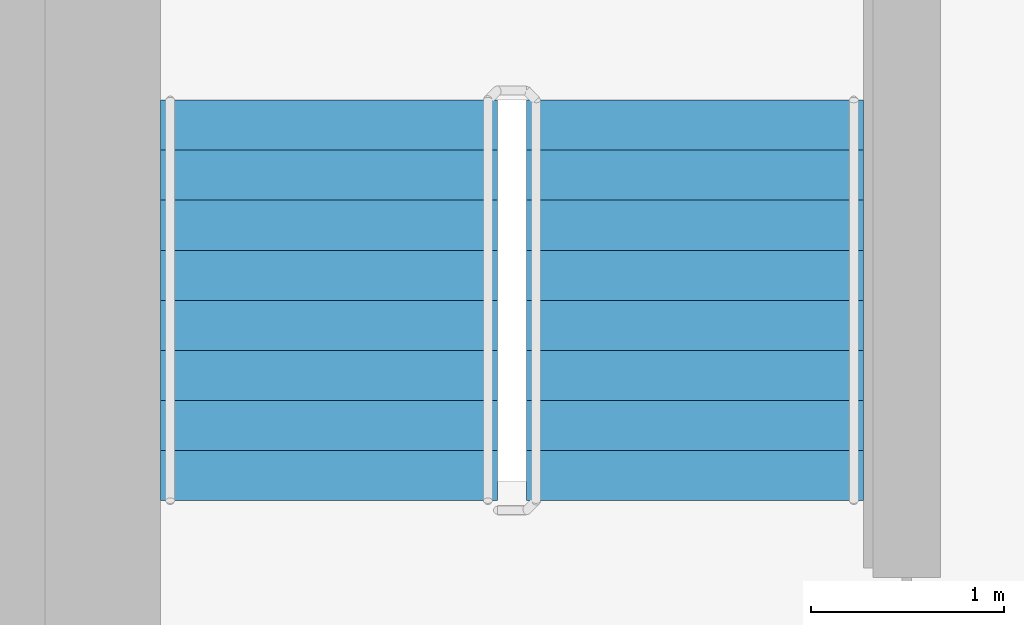
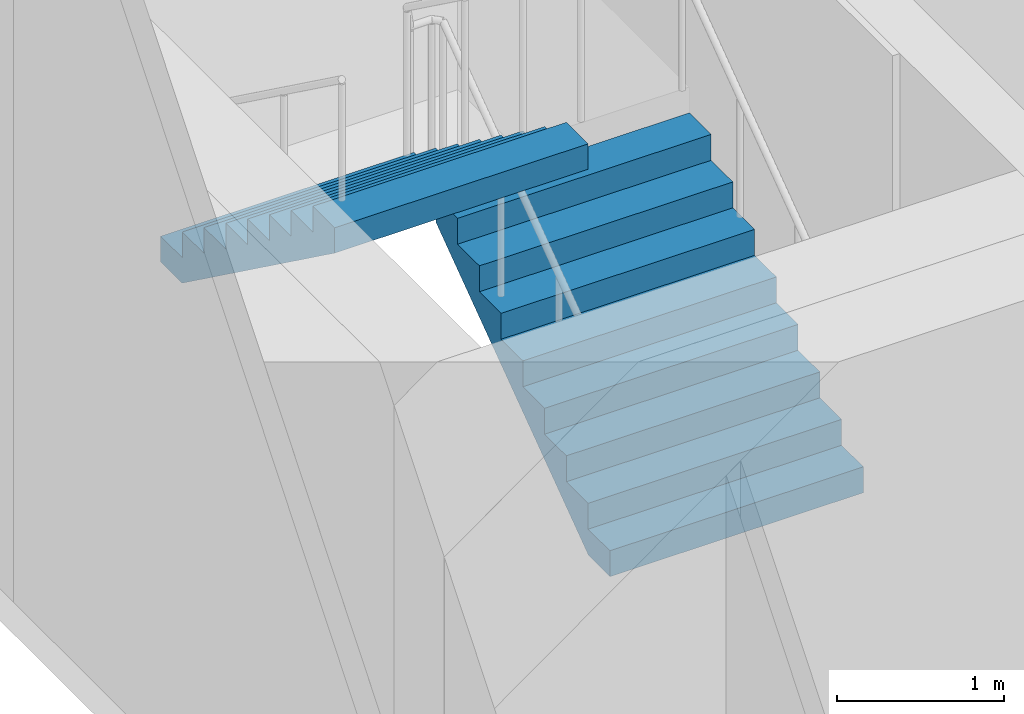
# One storey, part 15 of 18: 2 stair flights, 1 element without a shape of its own.
"""IFC4 building model written with IfcOpenShell, lengths in metres."""

from ifc_helpers import new_model, si_unit, direction, frame, origin, place, context, subcontext, project, spatial, faceted_brep, material, type_object, element, aggregate, save


model = new_model("IFC4")

# Units and contexts
model_context = context("Model", 3, precision=1e-05, world=origin(), true_north=direction((0.0, 1.0)))
body_context = subcontext(model_context, "Body", "Model", "MODEL_VIEW")
ifc_project = project(units=[si_unit("LENGTHUNIT", "METRE"), si_unit("AREAUNIT", "SQUARE_METRE"), si_unit("VOLUMEUNIT", "CUBIC_METRE"), si_unit("PLANEANGLEUNIT", "RADIAN"), si_unit("MASSUNIT", "GRAM", prefix="KILO")], contexts=[model_context])

# Site, building, storey
site_placement = place(None, origin())
site = spatial("IfcSite", under=ifc_project, at=site_placement, CompositionType="ELEMENT")
building_placement = place(site_placement, origin())
building = spatial("IfcBuilding", under=site, at=building_placement, Name="Ipe Terrace Towers", CompositionType="ELEMENT")
storey_placement = place(building_placement, frame((0.0, 0.0, 213.0)))
storey = spatial("IfcBuildingStorey", under=building, at=storey_placement, Name="L59", CompositionType="ELEMENT", Elevation=213.0)

# Stair, stair flights
ifc_material_1 = material(Name="Concrete C30/37", Category="concrete")
stair_type = type_object("IfcStairType", Name="Protected exit stair", PredefinedType="HALF_TURN_STAIR", material=ifc_material_1)
stair_placement = place(storey_placement, origin())
stair = element("IfcStair", 1, at=stair_placement, inside=storey, type_object=stair_type, Name="L59 Exit stair T2-C1", PredefinedType="HALF_TURN_STAIR")
ifc_material_2 = material(Name="Concrete C30/37", Category="concrete")
stair_flight_type = type_object("IfcStairFlightType", Name="Exit stair flight 1750", PredefinedType="STRAIGHT", material=ifc_material_2)
stair_flight_1_placement = place(storey_placement, frame((33.22509765625, 9.699951171875, 0.0), z_axis=(0.0, 0.0, 1.0), x_axis=(0.0, 1.0, 0.0)))
stair_flight_1 = element("IfcStairFlight", 2, at=stair_flight_1_placement, type_object=stair_flight_type, Name="T2-ST1 flight 1", NumberOfRisers=9, NumberOfTreads=8, PredefinedType="STRAIGHT", RiserHeight=0.188888889, TreadLength=0.26, context=body_context, shape_type="Brep", body=[
    faceted_brep([(0.255126953125, -0.875, 0.0), (2.080078125, -0.875, 1.325927734375), (2.080078125, -0.875, 1.51123046875), (1.820068359375, -0.875, 1.51123046875), (1.820068359375, -0.875, 1.322265625), (1.56005859375, -0.875, 1.322265625), (1.56005859375, -0.875, 1.13330078125), (1.300048828125, -0.875, 1.13330078125), (1.300048828125, -0.875, 0.9443359375), (1.0400390625, -0.875, 0.9443359375), (1.0400390625, -0.875, 0.755615234375), (0.780029296875, -0.875, 0.755615234375), (0.780029296875, -0.875, 0.566650390625), (0.52001953125, -0.875, 0.566650390625), (0.52001953125, -0.875, 0.377685546875), (0.260009765625, -0.875, 0.377685546875), (0.260009765625, -0.875, 0.18896484375), (0.0, -0.875, 0.18896484375), (0.0, -0.875, 0.0), (0.0, 0.875, 0.0), (0.0, 0.875, 0.18896484375), (0.260009765625, 0.875, 0.18896484375), (0.260009765625, 0.875, 0.377685546875), (0.52001953125, 0.875, 0.377685546875), (0.52001953125, 0.875, 0.566650390625), (0.780029296875, 0.875, 0.566650390625), (0.780029296875, 0.875, 0.755615234375), (1.0400390625, 0.875, 0.755615234375), (1.0400390625, 0.875, 0.9443359375), (1.300048828125, 0.875, 0.9443359375), (1.300048828125, 0.875, 1.13330078125), (1.56005859375, 0.875, 1.13330078125), (1.56005859375, 0.875, 1.322265625), (1.820068359375, 0.875, 1.322265625), (1.820068359375, 0.875, 1.51123046875), (2.080078125, 0.875, 1.51123046875), (2.080078125, 0.875, 1.325927734375), (0.255126953125, 0.875, 0.0), (0.0, -0.300048828125, 0.18896484375), (0.0, -0.1201171875, 0.18896484375), (0.0, -0.06005859375, 0.18896484375), (0.0, -0.030029296875, 0.18896484375), (0.0, -0.010009765625, 0.18896484375), (0.0, 0.0, 0.18896484375), (0.0, 0.010009765625, 0.18896484375), (0.0, 0.030029296875, 0.18896484375), (0.0, 0.06005859375, 0.18896484375), (0.0, 0.1201171875, 0.18896484375), (0.0, 0.300048828125, 0.18896484375), (0.0, 0.300048828125, 0.0), (0.0, 0.1201171875, 0.0), (0.0, 0.06005859375, 0.0), (0.0, 0.030029296875, 0.0), (0.0, 0.010009765625, 0.0), (0.0, 0.0, 0.0), (0.0, -0.010009765625, 0.0), (0.0, -0.030029296875, 0.0), (0.0, -0.06005859375, 0.0), (0.0, -0.1201171875, 0.0), (0.0, -0.300048828125, 0.0), (0.260009765625, -0.300048828125, 0.18896484375), (0.260009765625, -0.1201171875, 0.18896484375), (0.260009765625, -0.06005859375, 0.18896484375), (0.260009765625, -0.030029296875, 0.18896484375), (0.260009765625, -0.010009765625, 0.18896484375), (0.260009765625, 0.0, 0.18896484375), (0.260009765625, 0.010009765625, 0.18896484375), (0.260009765625, 0.030029296875, 0.18896484375), (0.260009765625, 0.06005859375, 0.18896484375), (0.260009765625, 0.1201171875, 0.18896484375), (0.260009765625, 0.300048828125, 0.18896484375), (0.260009765625, -0.300048828125, 0.377685546875), (0.260009765625, -0.1201171875, 0.377685546875), (0.260009765625, -0.06005859375, 0.377685546875), (0.260009765625, -0.030029296875, 0.377685546875), (0.260009765625, -0.010009765625, 0.377685546875), (0.260009765625, 0.0, 0.377685546875), (0.260009765625, 0.010009765625, 0.377685546875), (0.260009765625, 0.030029296875, 0.377685546875), (0.260009765625, 0.06005859375, 0.377685546875), (0.260009765625, 0.1201171875, 0.377685546875), (0.260009765625, 0.300048828125, 0.377685546875), (0.52001953125, -0.300048828125, 0.377685546875), (0.52001953125, -0.1201171875, 0.377685546875), (0.52001953125, -0.06005859375, 0.377685546875), (0.52001953125, -0.030029296875, 0.377685546875), (0.52001953125, -0.010009765625, 0.377685546875), (0.52001953125, 0.0, 0.377685546875), (0.52001953125, 0.010009765625, 0.377685546875), (0.52001953125, 0.030029296875, 0.377685546875), (0.52001953125, 0.06005859375, 0.377685546875), (0.52001953125, 0.1201171875, 0.377685546875), (0.52001953125, 0.300048828125, 0.377685546875), (0.52001953125, -0.300048828125, 0.566650390625), (0.52001953125, -0.1201171875, 0.566650390625), (0.52001953125, -0.06005859375, 0.566650390625), (0.52001953125, -0.030029296875, 0.566650390625), (0.52001953125, -0.010009765625, 0.566650390625), (0.52001953125, 0.0, 0.566650390625), (0.52001953125, 0.010009765625, 0.566650390625), (0.52001953125, 0.030029296875, 0.566650390625), (0.52001953125, 0.06005859375, 0.566650390625), (0.52001953125, 0.1201171875, 0.566650390625), (0.52001953125, 0.300048828125, 0.566650390625), (0.780029296875, -0.300048828125, 0.566650390625), (0.780029296875, -0.1201171875, 0.566650390625), (0.780029296875, -0.06005859375, 0.566650390625), (0.780029296875, -0.030029296875, 0.566650390625), (0.780029296875, -0.010009765625, 0.566650390625), (0.780029296875, 0.0, 0.566650390625), (0.780029296875, 0.010009765625, 0.566650390625), (0.780029296875, 0.030029296875, 0.566650390625), (0.780029296875, 0.06005859375, 0.566650390625), (0.780029296875, 0.1201171875, 0.566650390625), (0.780029296875, 0.300048828125, 0.566650390625), (0.780029296875, -0.300048828125, 0.755615234375), (0.780029296875, -0.1201171875, 0.755615234375), (0.780029296875, -0.06005859375, 0.755615234375), (0.780029296875, -0.030029296875, 0.755615234375), (0.780029296875, -0.010009765625, 0.755615234375), (0.780029296875, 0.0, 0.755615234375), (0.780029296875, 0.010009765625, 0.755615234375), (0.780029296875, 0.030029296875, 0.755615234375), (0.780029296875, 0.06005859375, 0.755615234375), (0.780029296875, 0.1201171875, 0.755615234375), (0.780029296875, 0.300048828125, 0.755615234375), (1.0400390625, -0.300048828125, 0.755615234375), (1.0400390625, -0.1201171875, 0.755615234375), (1.0400390625, -0.06005859375, 0.755615234375), (1.0400390625, -0.030029296875, 0.755615234375), (1.0400390625, -0.010009765625, 0.755615234375), (1.0400390625, 0.0, 0.755615234375), (1.0400390625, 0.010009765625, 0.755615234375), (1.0400390625, 0.030029296875, 0.755615234375), (1.0400390625, 0.06005859375, 0.755615234375), (1.0400390625, 0.1201171875, 0.755615234375), (1.0400390625, 0.300048828125, 0.755615234375), (1.0400390625, -0.300048828125, 0.9443359375), (1.0400390625, -0.1201171875, 0.9443359375), (1.0400390625, -0.06005859375, 0.9443359375), (1.0400390625, -0.030029296875, 0.9443359375), (1.0400390625, -0.010009765625, 0.9443359375), (1.0400390625, 0.0, 0.9443359375), (1.0400390625, 0.010009765625, 0.9443359375), (1.0400390625, 0.030029296875, 0.9443359375), (1.0400390625, 0.06005859375, 0.9443359375), (1.0400390625, 0.1201171875, 0.9443359375), (1.0400390625, 0.300048828125, 0.9443359375), (1.300048828125, -0.300048828125, 0.9443359375), (1.300048828125, -0.1201171875, 0.9443359375), (1.300048828125, -0.06005859375, 0.9443359375), (1.300048828125, -0.030029296875, 0.9443359375), (1.300048828125, -0.010009765625, 0.9443359375), (1.300048828125, 0.0, 0.9443359375), (1.300048828125, 0.010009765625, 0.9443359375), (1.300048828125, 0.030029296875, 0.9443359375), (1.300048828125, 0.06005859375, 0.9443359375), (1.300048828125, 0.1201171875, 0.9443359375), (1.300048828125, 0.300048828125, 0.9443359375), (1.300048828125, -0.300048828125, 1.13330078125), (1.300048828125, -0.1201171875, 1.13330078125), (1.300048828125, -0.06005859375, 1.13330078125), (1.300048828125, -0.030029296875, 1.13330078125), (1.300048828125, -0.010009765625, 1.13330078125), (1.300048828125, 0.0, 1.13330078125), (1.300048828125, 0.010009765625, 1.13330078125), (1.300048828125, 0.030029296875, 1.13330078125), (1.300048828125, 0.06005859375, 1.13330078125), (1.300048828125, 0.1201171875, 1.13330078125), (1.300048828125, 0.300048828125, 1.13330078125), (1.56005859375, -0.300048828125, 1.13330078125), (1.56005859375, -0.1201171875, 1.13330078125), (1.56005859375, -0.06005859375, 1.13330078125), (1.56005859375, -0.030029296875, 1.13330078125), (1.56005859375, -0.010009765625, 1.13330078125), (1.56005859375, 0.0, 1.13330078125), (1.56005859375, 0.010009765625, 1.13330078125), (1.56005859375, 0.030029296875, 1.13330078125), (1.56005859375, 0.06005859375, 1.13330078125), (1.56005859375, 0.1201171875, 1.13330078125), (1.56005859375, 0.300048828125, 1.13330078125), (1.56005859375, -0.300048828125, 1.322265625), (1.56005859375, -0.1201171875, 1.322265625), (1.56005859375, -0.06005859375, 1.322265625), (1.56005859375, -0.030029296875, 1.322265625), (1.56005859375, -0.010009765625, 1.322265625), (1.56005859375, 0.0, 1.322265625), (1.56005859375, 0.010009765625, 1.322265625), (1.56005859375, 0.030029296875, 1.322265625), (1.56005859375, 0.06005859375, 1.322265625), (1.56005859375, 0.1201171875, 1.322265625), (1.56005859375, 0.300048828125, 1.322265625), (1.820068359375, -0.300048828125, 1.322265625), (1.820068359375, -0.1201171875, 1.322265625), (1.820068359375, -0.06005859375, 1.322265625), (1.820068359375, -0.030029296875, 1.322265625), (1.820068359375, -0.010009765625, 1.322265625), (1.820068359375, 0.0, 1.322265625), (1.820068359375, 0.010009765625, 1.322265625), (1.820068359375, 0.030029296875, 1.322265625), (1.820068359375, 0.06005859375, 1.322265625), (1.820068359375, 0.1201171875, 1.322265625), (1.820068359375, 0.300048828125, 1.322265625), (1.820068359375, -0.300048828125, 1.51123046875), (1.820068359375, -0.1201171875, 1.51123046875), (1.820068359375, -0.06005859375, 1.51123046875), (1.820068359375, -0.030029296875, 1.51123046875), (1.820068359375, -0.010009765625, 1.51123046875), (1.820068359375, 0.0, 1.51123046875), (1.820068359375, 0.010009765625, 1.51123046875), (1.820068359375, 0.030029296875, 1.51123046875), (1.820068359375, 0.06005859375, 1.51123046875), (1.820068359375, 0.1201171875, 1.51123046875), (1.820068359375, 0.300048828125, 1.51123046875), (2.080078125, -0.300048828125, 1.51123046875), (2.080078125, -0.1201171875, 1.51123046875), (2.080078125, -0.06005859375, 1.51123046875), (2.080078125, -0.030029296875, 1.51123046875), (2.080078125, -0.010009765625, 1.51123046875), (2.080078125, 0.0, 1.51123046875), (2.080078125, 0.010009765625, 1.51123046875), (2.080078125, 0.030029296875, 1.51123046875), (2.080078125, 0.06005859375, 1.51123046875), (2.080078125, 0.1201171875, 1.51123046875), (2.080078125, 0.300048828125, 1.51123046875), (2.080078125, -0.300048828125, 1.325927734375), (2.080078125, -0.1201171875, 1.325927734375), (2.080078125, -0.06005859375, 1.325927734375), (2.080078125, -0.030029296875, 1.325927734375), (2.080078125, -0.010009765625, 1.325927734375), (2.080078125, 0.0, 1.325927734375), (2.080078125, 0.010009765625, 1.325927734375), (2.080078125, 0.030029296875, 1.325927734375), (2.080078125, 0.06005859375, 1.325927734375), (2.080078125, 0.1201171875, 1.325927734375), (2.080078125, 0.300048828125, 1.325927734375), (0.255126953125, -0.300048828125, 0.0), (0.255126953125, -0.1201171875, 0.0), (0.255126953125, -0.06005859375, 0.0), (0.255126953125, -0.030029296875, 0.0), (0.255126953125, -0.010009765625, 0.0), (0.255126953125, 0.0, 0.0), (0.255126953125, 0.010009765625, 0.0), (0.255126953125, 0.030029296875, 0.0), (0.255126953125, 0.06005859375, 0.0), (0.255126953125, 0.1201171875, 0.0), (0.255126953125, 0.300048828125, 0.0)], [[[0, 1, 2, 3, 4, 5, 6, 7, 8, 9, 10, 11, 12, 13, 14, 15, 16, 17, 18]], [[19, 20, 21, 22, 23, 24, 25, 26, 27, 28, 29, 30, 31, 32, 33, 34, 35, 36, 37]], [[17, 38, 39, 40, 41, 42, 43, 44, 45, 46, 47, 48, 20, 19, 49, 50, 51, 52, 53, 54, 55, 56, 57, 58, 59, 18]], [[16, 60, 61, 62, 63, 64, 65, 66, 67, 68, 69, 70, 21, 20, 48, 47, 46, 45, 44, 43, 42, 41, 40, 39, 38, 17]], [[15, 71, 72, 73, 74, 75, 76, 77, 78, 79, 80, 81, 22, 21, 70, 69, 68, 67, 66, 65, 64, 63, 62, 61, 60, 16]], [[14, 82, 83, 84, 85, 86, 87, 88, 89, 90, 91, 92, 23, 22, 81, 80, 79, 78, 77, 76, 75, 74, 73, 72, 71, 15]], [[13, 93, 94, 95, 96, 97, 98, 99, 100, 101, 102, 103, 24, 23, 92, 91, 90, 89, 88, 87, 86, 85, 84, 83, 82, 14]], [[12, 104, 105, 106, 107, 108, 109, 110, 111, 112, 113, 114, 25, 24, 103, 102, 101, 100, 99, 98, 97, 96, 95, 94, 93, 13]], [[11, 115, 116, 117, 118, 119, 120, 121, 122, 123, 124, 125, 26, 25, 114, 113, 112, 111, 110, 109, 108, 107, 106, 105, 104, 12]], [[10, 126, 127, 128, 129, 130, 131, 132, 133, 134, 135, 136, 27, 26, 125, 124, 123, 122, 121, 120, 119, 118, 117, 116, 115, 11]], [[9, 137, 138, 139, 140, 141, 142, 143, 144, 145, 146, 147, 28, 27, 136, 135, 134, 133, 132, 131, 130, 129, 128, 127, 126, 10]], [[8, 148, 149, 150, 151, 152, 153, 154, 155, 156, 157, 158, 29, 28, 147, 146, 145, 144, 143, 142, 141, 140, 139, 138, 137, 9]], [[7, 159, 160, 161, 162, 163, 164, 165, 166, 167, 168, 169, 30, 29, 158, 157, 156, 155, 154, 153, 152, 151, 150, 149, 148, 8]], [[6, 170, 171, 172, 173, 174, 175, 176, 177, 178, 179, 180, 31, 30, 169, 168, 167, 166, 165, 164, 163, 162, 161, 160, 159, 7]], [[5, 181, 182, 183, 184, 185, 186, 187, 188, 189, 190, 191, 32, 31, 180, 179, 178, 177, 176, 175, 174, 173, 172, 171, 170, 6]], [[4, 192, 193, 194, 195, 196, 197, 198, 199, 200, 201, 202, 33, 32, 191, 190, 189, 188, 187, 186, 185, 184, 183, 182, 181, 5]], [[3, 203, 204, 205, 206, 207, 208, 209, 210, 211, 212, 213, 34, 33, 202, 201, 200, 199, 198, 197, 196, 195, 194, 193, 192, 4]], [[2, 214, 215, 216, 217, 218, 219, 220, 221, 222, 223, 224, 35, 34, 213, 212, 211, 210, 209, 208, 207, 206, 205, 204, 203, 3]], [[1, 225, 226, 227, 228, 229, 230, 231, 232, 233, 234, 235, 36, 35, 224, 223, 222, 221, 220, 219, 218, 217, 216, 215, 214, 2]], [[0, 236, 237, 238, 239, 240, 241, 242, 243, 244, 245, 246, 37, 36, 235, 234, 233, 232, 231, 230, 229, 228, 227, 226, 225, 1]], [[18, 59, 58, 57, 56, 55, 54, 53, 52, 51, 50, 49, 19, 37, 246, 245, 244, 243, 242, 241, 240, 239, 238, 237, 236, 0]]]),
])
stair_flight_2_placement = place(storey_placement, frame((31.324951171875, 11.780029296875, 1.699951171875), z_axis=(0.0, 0.0, 1.0), x_axis=(0.0, -1.0, 0.0)))
stair_flight_2 = element("IfcStairFlight", 3, at=stair_flight_2_placement, type_object=stair_flight_type, Name="T2-ST1 flight 2", NumberOfRisers=9, NumberOfTreads=8, PredefinedType="STRAIGHT", RiserHeight=0.188888889, TreadLength=0.26, context=body_context, shape_type="Brep", body=[
    faceted_brep([(0.255126953125, -0.875, 0.0), (2.080078125, -0.875, 1.325927734375), (2.080078125, -0.875, 1.51123046875), (1.820068359375, -0.875, 1.51123046875), (1.820068359375, -0.875, 1.322265625), (1.56005859375, -0.875, 1.322265625), (1.56005859375, -0.875, 1.13330078125), (1.300048828125, -0.875, 1.13330078125), (1.300048828125, -0.875, 0.9443359375), (1.0400390625, -0.875, 0.9443359375), (1.0400390625, -0.875, 0.755615234375), (0.780029296875, -0.875, 0.755615234375), (0.780029296875, -0.875, 0.566650390625), (0.52001953125, -0.875, 0.566650390625), (0.52001953125, -0.875, 0.377685546875), (0.260009765625, -0.875, 0.377685546875), (0.260009765625, -0.875, 0.18896484375), (0.0, -0.875, 0.18896484375), (0.0, -0.875, 0.0), (0.0, 0.875, 0.0), (0.0, 0.875, 0.18896484375), (0.260009765625, 0.875, 0.18896484375), (0.260009765625, 0.875, 0.377685546875), (0.52001953125, 0.875, 0.377685546875), (0.52001953125, 0.875, 0.566650390625), (0.780029296875, 0.875, 0.566650390625), (0.780029296875, 0.875, 0.755615234375), (1.0400390625, 0.875, 0.755615234375), (1.0400390625, 0.875, 0.9443359375), (1.300048828125, 0.875, 0.9443359375), (1.300048828125, 0.875, 1.13330078125), (1.56005859375, 0.875, 1.13330078125), (1.56005859375, 0.875, 1.322265625), (1.820068359375, 0.875, 1.322265625), (1.820068359375, 0.875, 1.51123046875), (2.080078125, 0.875, 1.51123046875), (2.080078125, 0.875, 1.325927734375), (0.255126953125, 0.875, 0.0), (0.0, -0.300048828125, 0.18896484375), (0.0, -0.1201171875, 0.18896484375), (0.0, -0.06005859375, 0.18896484375), (0.0, -0.030029296875, 0.18896484375), (0.0, -0.010009765625, 0.18896484375), (0.0, 0.0, 0.18896484375), (0.0, 0.010009765625, 0.18896484375), (0.0, 0.030029296875, 0.18896484375), (0.0, 0.06005859375, 0.18896484375), (0.0, 0.1201171875, 0.18896484375), (0.0, 0.300048828125, 0.18896484375), (0.0, 0.300048828125, 0.0), (0.0, 0.1201171875, 0.0), (0.0, 0.06005859375, 0.0), (0.0, 0.030029296875, 0.0), (0.0, 0.010009765625, 0.0), (0.0, 0.0, 0.0), (0.0, -0.010009765625, 0.0), (0.0, -0.030029296875, 0.0), (0.0, -0.06005859375, 0.0), (0.0, -0.1201171875, 0.0), (0.0, -0.300048828125, 0.0), (0.260009765625, -0.300048828125, 0.18896484375), (0.260009765625, -0.1201171875, 0.18896484375), (0.260009765625, -0.06005859375, 0.18896484375), (0.260009765625, -0.030029296875, 0.18896484375), (0.260009765625, -0.010009765625, 0.18896484375), (0.260009765625, 0.0, 0.18896484375), (0.260009765625, 0.010009765625, 0.18896484375), (0.260009765625, 0.030029296875, 0.18896484375), (0.260009765625, 0.06005859375, 0.18896484375), (0.260009765625, 0.1201171875, 0.18896484375), (0.260009765625, 0.300048828125, 0.18896484375), (0.260009765625, -0.300048828125, 0.377685546875), (0.260009765625, -0.1201171875, 0.377685546875), (0.260009765625, -0.06005859375, 0.377685546875), (0.260009765625, -0.030029296875, 0.377685546875), (0.260009765625, -0.010009765625, 0.377685546875), (0.260009765625, 0.0, 0.377685546875), (0.260009765625, 0.010009765625, 0.377685546875), (0.260009765625, 0.030029296875, 0.377685546875), (0.260009765625, 0.06005859375, 0.377685546875), (0.260009765625, 0.1201171875, 0.377685546875), (0.260009765625, 0.300048828125, 0.377685546875), (0.52001953125, -0.300048828125, 0.377685546875), (0.52001953125, -0.1201171875, 0.377685546875), (0.52001953125, -0.06005859375, 0.377685546875), (0.52001953125, -0.030029296875, 0.377685546875), (0.52001953125, -0.010009765625, 0.377685546875), (0.52001953125, 0.0, 0.377685546875), (0.52001953125, 0.010009765625, 0.377685546875), (0.52001953125, 0.030029296875, 0.377685546875), (0.52001953125, 0.06005859375, 0.377685546875), (0.52001953125, 0.1201171875, 0.377685546875), (0.52001953125, 0.300048828125, 0.377685546875), (0.52001953125, -0.300048828125, 0.566650390625), (0.52001953125, -0.1201171875, 0.566650390625), (0.52001953125, -0.06005859375, 0.566650390625), (0.52001953125, -0.030029296875, 0.566650390625), (0.52001953125, -0.010009765625, 0.566650390625), (0.52001953125, 0.0, 0.566650390625), (0.52001953125, 0.010009765625, 0.566650390625), (0.52001953125, 0.030029296875, 0.566650390625), (0.52001953125, 0.06005859375, 0.566650390625), (0.52001953125, 0.1201171875, 0.566650390625), (0.52001953125, 0.300048828125, 0.566650390625), (0.780029296875, -0.300048828125, 0.566650390625), (0.780029296875, -0.1201171875, 0.566650390625), (0.780029296875, -0.06005859375, 0.566650390625), (0.780029296875, -0.030029296875, 0.566650390625), (0.780029296875, -0.010009765625, 0.566650390625), (0.780029296875, 0.0, 0.566650390625), (0.780029296875, 0.010009765625, 0.566650390625), (0.780029296875, 0.030029296875, 0.566650390625), (0.780029296875, 0.06005859375, 0.566650390625), (0.780029296875, 0.1201171875, 0.566650390625), (0.780029296875, 0.300048828125, 0.566650390625), (0.780029296875, -0.300048828125, 0.755615234375), (0.780029296875, -0.1201171875, 0.755615234375), (0.780029296875, -0.06005859375, 0.755615234375), (0.780029296875, -0.030029296875, 0.755615234375), (0.780029296875, -0.010009765625, 0.755615234375), (0.780029296875, 0.0, 0.755615234375), (0.780029296875, 0.010009765625, 0.755615234375), (0.780029296875, 0.030029296875, 0.755615234375), (0.780029296875, 0.06005859375, 0.755615234375), (0.780029296875, 0.1201171875, 0.755615234375), (0.780029296875, 0.300048828125, 0.755615234375), (1.0400390625, -0.300048828125, 0.755615234375), (1.0400390625, -0.1201171875, 0.755615234375), (1.0400390625, -0.06005859375, 0.755615234375), (1.0400390625, -0.030029296875, 0.755615234375), (1.0400390625, -0.010009765625, 0.755615234375), (1.0400390625, 0.0, 0.755615234375), (1.0400390625, 0.010009765625, 0.755615234375), (1.0400390625, 0.030029296875, 0.755615234375), (1.0400390625, 0.06005859375, 0.755615234375), (1.0400390625, 0.1201171875, 0.755615234375), (1.0400390625, 0.300048828125, 0.755615234375), (1.0400390625, -0.300048828125, 0.9443359375), (1.0400390625, -0.1201171875, 0.9443359375), (1.0400390625, -0.06005859375, 0.9443359375), (1.0400390625, -0.030029296875, 0.9443359375), (1.0400390625, -0.010009765625, 0.9443359375), (1.0400390625, 0.0, 0.9443359375), (1.0400390625, 0.010009765625, 0.9443359375), (1.0400390625, 0.030029296875, 0.9443359375), (1.0400390625, 0.06005859375, 0.9443359375), (1.0400390625, 0.1201171875, 0.9443359375), (1.0400390625, 0.300048828125, 0.9443359375), (1.300048828125, -0.300048828125, 0.9443359375), (1.300048828125, -0.1201171875, 0.9443359375), (1.300048828125, -0.06005859375, 0.9443359375), (1.300048828125, -0.030029296875, 0.9443359375), (1.300048828125, -0.010009765625, 0.9443359375), (1.300048828125, 0.0, 0.9443359375), (1.300048828125, 0.010009765625, 0.9443359375), (1.300048828125, 0.030029296875, 0.9443359375), (1.300048828125, 0.06005859375, 0.9443359375), (1.300048828125, 0.1201171875, 0.9443359375), (1.300048828125, 0.300048828125, 0.9443359375), (1.300048828125, -0.300048828125, 1.13330078125), (1.300048828125, -0.1201171875, 1.13330078125), (1.300048828125, -0.06005859375, 1.13330078125), (1.300048828125, -0.030029296875, 1.13330078125), (1.300048828125, -0.010009765625, 1.13330078125), (1.300048828125, 0.0, 1.13330078125), (1.300048828125, 0.010009765625, 1.13330078125), (1.300048828125, 0.030029296875, 1.13330078125), (1.300048828125, 0.06005859375, 1.13330078125), (1.300048828125, 0.1201171875, 1.13330078125), (1.300048828125, 0.300048828125, 1.13330078125), (1.56005859375, -0.300048828125, 1.13330078125), (1.56005859375, -0.1201171875, 1.13330078125), (1.56005859375, -0.06005859375, 1.13330078125), (1.56005859375, -0.030029296875, 1.13330078125), (1.56005859375, -0.010009765625, 1.13330078125), (1.56005859375, 0.0, 1.13330078125), (1.56005859375, 0.010009765625, 1.13330078125), (1.56005859375, 0.030029296875, 1.13330078125), (1.56005859375, 0.06005859375, 1.13330078125), (1.56005859375, 0.1201171875, 1.13330078125), (1.56005859375, 0.300048828125, 1.13330078125), (1.56005859375, -0.300048828125, 1.322265625), (1.56005859375, -0.1201171875, 1.322265625), (1.56005859375, -0.06005859375, 1.322265625), (1.56005859375, -0.030029296875, 1.322265625), (1.56005859375, -0.010009765625, 1.322265625), (1.56005859375, 0.0, 1.322265625), (1.56005859375, 0.010009765625, 1.322265625), (1.56005859375, 0.030029296875, 1.322265625), (1.56005859375, 0.06005859375, 1.322265625), (1.56005859375, 0.1201171875, 1.322265625), (1.56005859375, 0.300048828125, 1.322265625), (1.820068359375, -0.300048828125, 1.322265625), (1.820068359375, -0.1201171875, 1.322265625), (1.820068359375, -0.06005859375, 1.322265625), (1.820068359375, -0.030029296875, 1.322265625), (1.820068359375, -0.010009765625, 1.322265625), (1.820068359375, 0.0, 1.322265625), (1.820068359375, 0.010009765625, 1.322265625), (1.820068359375, 0.030029296875, 1.322265625), (1.820068359375, 0.06005859375, 1.322265625), (1.820068359375, 0.1201171875, 1.322265625), (1.820068359375, 0.300048828125, 1.322265625), (1.820068359375, -0.300048828125, 1.51123046875), (1.820068359375, -0.1201171875, 1.51123046875), (1.820068359375, -0.06005859375, 1.51123046875), (1.820068359375, -0.030029296875, 1.51123046875), (1.820068359375, -0.010009765625, 1.51123046875), (1.820068359375, 0.0, 1.51123046875), (1.820068359375, 0.010009765625, 1.51123046875), (1.820068359375, 0.030029296875, 1.51123046875), (1.820068359375, 0.06005859375, 1.51123046875), (1.820068359375, 0.1201171875, 1.51123046875), (1.820068359375, 0.300048828125, 1.51123046875), (2.080078125, -0.300048828125, 1.51123046875), (2.080078125, -0.1201171875, 1.51123046875), (2.080078125, -0.06005859375, 1.51123046875), (2.080078125, -0.030029296875, 1.51123046875), (2.080078125, -0.010009765625, 1.51123046875), (2.080078125, 0.0, 1.51123046875), (2.080078125, 0.010009765625, 1.51123046875), (2.080078125, 0.030029296875, 1.51123046875), (2.080078125, 0.06005859375, 1.51123046875), (2.080078125, 0.1201171875, 1.51123046875), (2.080078125, 0.300048828125, 1.51123046875), (2.080078125, -0.300048828125, 1.325927734375), (2.080078125, -0.1201171875, 1.325927734375), (2.080078125, -0.06005859375, 1.325927734375), (2.080078125, -0.030029296875, 1.325927734375), (2.080078125, -0.010009765625, 1.325927734375), (2.080078125, 0.0, 1.325927734375), (2.080078125, 0.010009765625, 1.325927734375), (2.080078125, 0.030029296875, 1.325927734375), (2.080078125, 0.06005859375, 1.325927734375), (2.080078125, 0.1201171875, 1.325927734375), (2.080078125, 0.300048828125, 1.325927734375), (0.255126953125, -0.300048828125, 0.0), (0.255126953125, -0.1201171875, 0.0), (0.255126953125, -0.06005859375, 0.0), (0.255126953125, -0.030029296875, 0.0), (0.255126953125, -0.010009765625, 0.0), (0.255126953125, 0.0, 0.0), (0.255126953125, 0.010009765625, 0.0), (0.255126953125, 0.030029296875, 0.0), (0.255126953125, 0.06005859375, 0.0), (0.255126953125, 0.1201171875, 0.0), (0.255126953125, 0.300048828125, 0.0)], [[[0, 1, 2, 3, 4, 5, 6, 7, 8, 9, 10, 11, 12, 13, 14, 15, 16, 17, 18]], [[19, 20, 21, 22, 23, 24, 25, 26, 27, 28, 29, 30, 31, 32, 33, 34, 35, 36, 37]], [[17, 38, 39, 40, 41, 42, 43, 44, 45, 46, 47, 48, 20, 19, 49, 50, 51, 52, 53, 54, 55, 56, 57, 58, 59, 18]], [[16, 60, 61, 62, 63, 64, 65, 66, 67, 68, 69, 70, 21, 20, 48, 47, 46, 45, 44, 43, 42, 41, 40, 39, 38, 17]], [[15, 71, 72, 73, 74, 75, 76, 77, 78, 79, 80, 81, 22, 21, 70, 69, 68, 67, 66, 65, 64, 63, 62, 61, 60, 16]], [[14, 82, 83, 84, 85, 86, 87, 88, 89, 90, 91, 92, 23, 22, 81, 80, 79, 78, 77, 76, 75, 74, 73, 72, 71, 15]], [[13, 93, 94, 95, 96, 97, 98, 99, 100, 101, 102, 103, 24, 23, 92, 91, 90, 89, 88, 87, 86, 85, 84, 83, 82, 14]], [[12, 104, 105, 106, 107, 108, 109, 110, 111, 112, 113, 114, 25, 24, 103, 102, 101, 100, 99, 98, 97, 96, 95, 94, 93, 13]], [[11, 115, 116, 117, 118, 119, 120, 121, 122, 123, 124, 125, 26, 25, 114, 113, 112, 111, 110, 109, 108, 107, 106, 105, 104, 12]], [[10, 126, 127, 128, 129, 130, 131, 132, 133, 134, 135, 136, 27, 26, 125, 124, 123, 122, 121, 120, 119, 118, 117, 116, 115, 11]], [[9, 137, 138, 139, 140, 141, 142, 143, 144, 145, 146, 147, 28, 27, 136, 135, 134, 133, 132, 131, 130, 129, 128, 127, 126, 10]], [[8, 148, 149, 150, 151, 152, 153, 154, 155, 156, 157, 158, 29, 28, 147, 146, 145, 144, 143, 142, 141, 140, 139, 138, 137, 9]], [[7, 159, 160, 161, 162, 163, 164, 165, 166, 167, 168, 169, 30, 29, 158, 157, 156, 155, 154, 153, 152, 151, 150, 149, 148, 8]], [[6, 170, 171, 172, 173, 174, 175, 176, 177, 178, 179, 180, 31, 30, 169, 168, 167, 166, 165, 164, 163, 162, 161, 160, 159, 7]], [[5, 181, 182, 183, 184, 185, 186, 187, 188, 189, 190, 191, 32, 31, 180, 179, 178, 177, 176, 175, 174, 173, 172, 171, 170, 6]], [[4, 192, 193, 194, 195, 196, 197, 198, 199, 200, 201, 202, 33, 32, 191, 190, 189, 188, 187, 186, 185, 184, 183, 182, 181, 5]], [[3, 203, 204, 205, 206, 207, 208, 209, 210, 211, 212, 213, 34, 33, 202, 201, 200, 199, 198, 197, 196, 195, 194, 193, 192, 4]], [[2, 214, 215, 216, 217, 218, 219, 220, 221, 222, 223, 224, 35, 34, 213, 212, 211, 210, 209, 208, 207, 206, 205, 204, 203, 3]], [[1, 225, 226, 227, 228, 229, 230, 231, 232, 233, 234, 235, 36, 35, 224, 223, 222, 221, 220, 219, 218, 217, 216, 215, 214, 2]], [[0, 236, 237, 238, 239, 240, 241, 242, 243, 244, 245, 246, 37, 36, 235, 234, 233, 232, 231, 230, 229, 228, 227, 226, 225, 1]], [[18, 59, 58, 57, 56, 55, 54, 53, 52, 51, 50, 49, 19, 37, 246, 245, 244, 243, 242, 241, 240, 239, 238, 237, 236, 0]]]),
])
aggregate(stair, [stair_flight_1, stair_flight_2])

save(model, "model.ifc")
